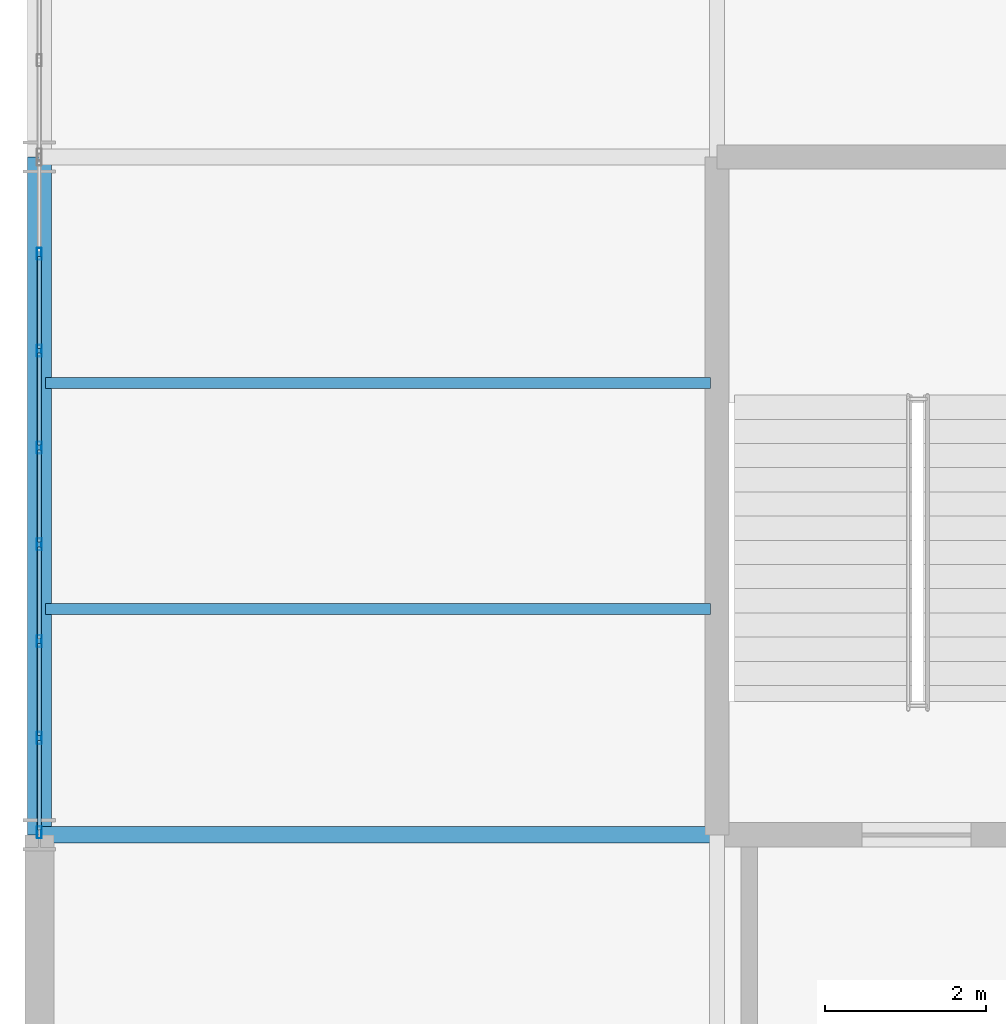
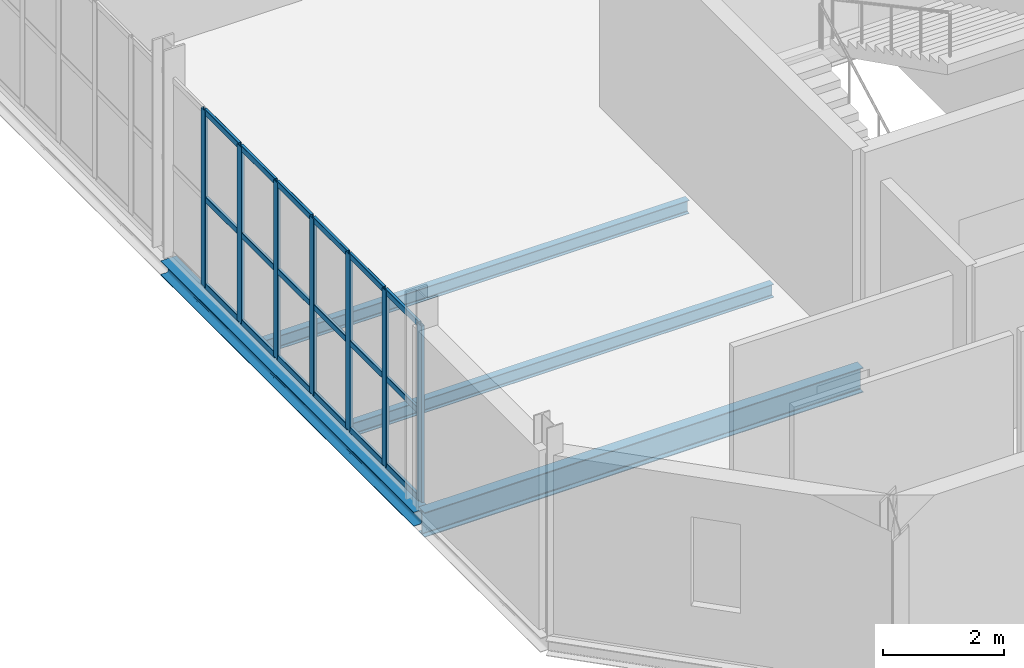
# One storey, part 23 of 184: 25 members, 4 beams, 1 element without a shape of its own.
"""IFC4 building model written with IfcOpenShell, lengths in metres."""

from ifc_helpers import new_model, si_unit, direction, frame, origin, origin_2d, place, context, subcontext, project, spatial, hollow_rectangle, i_section, extrude, material, layer, layer_set, material_profile, profile_set, type_object, element, aggregate, save


model = new_model("IFC4")

# Units and contexts
model_context = context("Model", 3, precision=1e-05, world=origin(), true_north=direction((0.0, 1.0)))
body_context = subcontext(model_context, "Body", "Model", "MODEL_VIEW")
ifc_project = project(units=[si_unit("LENGTHUNIT", "METRE"), si_unit("AREAUNIT", "SQUARE_METRE"), si_unit("VOLUMEUNIT", "CUBIC_METRE"), si_unit("PLANEANGLEUNIT", "RADIAN"), si_unit("MASSUNIT", "GRAM", prefix="KILO")], contexts=[model_context])

# Site, building, storey
site_placement = place(None, origin())
site = spatial("IfcSite", under=ifc_project, at=site_placement, CompositionType="ELEMENT")
building_placement = place(site_placement, origin())
building = spatial("IfcBuilding", under=site, at=building_placement, Name="Qalvenar Corner Mobility Hub", CompositionType="ELEMENT")
storey_placement = place(building_placement, frame((0.0, 0.0, 9.0)))
storey = spatial("IfcBuildingStorey", under=building, at=storey_placement, Name="L02", CompositionType="ELEMENT", Elevation=9.0)

# Beams
ifc_material_1 = material(Name="Steel S355", Category="steel")
ifc_material_profile_1 = material_profile(ifc_material_1, i_section(OverallWidth=0.199951171875, OverallDepth=0.5, WebThickness=0.01025390625, FlangeThickness=0.01611328125, FilletRadius=0.02099609375, at=origin_2d()), Name="IPE500")
ifc_profile_set_1 = profile_set([ifc_material_profile_1], Name="Steel S355")
beam_type_1 = type_object("IfcBeamType", Name="BM-IPE500", PredefinedType="BEAM", material=ifc_profile_set_1)
beam_1_placement = place(storey_placement, frame((0.0, 8.39990234375, -0.429931640625), z_axis=(1.0, 0.0, 0.0), x_axis=(0.0, 1.0, 0.0)))
element("IfcBeam", 1, at=beam_1_placement, inside=storey, type_object=beam_type_1, Name="Primary Steel Girder GX-1547", PredefinedType="BEAM", context=body_context, shape_type="SweptSolid", body=[
    extrude(i_section(OverallWidth=0.199951171875, OverallDepth=0.5, WebThickness=0.01025390625, FlangeThickness=0.01611328125, FilletRadius=0.02099609375, at=origin_2d()), origin(), (0.0, 0.0, 1.0), 8.39990234375),
])
ifc_material_profile_2 = material_profile(ifc_material_1, i_section(OverallWidth=0.135009765625, OverallDepth=0.27001953125, WebThickness=0.006591796875, FlangeThickness=0.01025390625, FilletRadius=0.014892578125, at=origin_2d()), Name="IPE270")
ifc_profile_set_2 = profile_set([ifc_material_profile_2], Name="Steel S355")
beam_type_2 = type_object("IfcBeamType", Name="BM-JST270", PredefinedType="JOIST", material=ifc_profile_set_2)
for number, where, z_axis, x_axis, name in (
    (2, (0.077880859375, 11.199951171875, -0.31494140625), (1.0, 0.0, 0.0), (0.0, 1.0, 0.0), "Composite Floor Joist J-1615"),
    (3, (0.077880859375, 14.0, -0.31494140625), (1.0, 0.0, 0.0), (0.0, 1.0, 0.0), "Composite Floor Joist J-1616"),
):
    element("IfcBeam", number, at=place(storey_placement, frame(where, z_axis=z_axis, x_axis=x_axis)), inside=storey, type_object=beam_type_2, Name=name, PredefinedType="JOIST", context=body_context, shape_type="SweptSolid", body=[
        extrude(i_section(OverallWidth=0.135009765625, OverallDepth=0.27001953125, WebThickness=0.006591796875, FlangeThickness=0.01025390625, FilletRadius=0.014892578125, at=origin_2d()), origin(), (0.0, 0.0, 1.0), 8.244140625),
    ])
ifc_material_profile_3 = material_profile(ifc_material_1, i_section(OverallWidth=0.300048828125, OverallDepth=0.2900390625, WebThickness=0.008544921875, FlangeThickness=0.013916015625, FilletRadius=0.027099609375, at=origin_2d()), Name="HEA300")
ifc_profile_set_3 = profile_set([ifc_material_profile_3], Name="Steel S355")
beam_type_3 = type_object("IfcBeamType", Name="BM-SPN300", PredefinedType="SPANDREL", material=ifc_profile_set_3)
beam_2_placement = place(storey_placement, frame((0.0, 8.39990234375, -0.324951171875), z_axis=(0.0, 1.0, 0.0), x_axis=(-1.0, 0.0, 0.0)))
element("IfcBeam", 4, at=beam_2_placement, inside=storey, type_object=beam_type_3, Name="Primary Steel Girder GY-1578", PredefinedType="SPANDREL", context=body_context, shape_type="SweptSolid", body=[
    extrude(i_section(OverallWidth=0.300048828125, OverallDepth=0.2900390625, WebThickness=0.008544921875, FlangeThickness=0.013916015625, FilletRadius=0.027099609375, at=origin_2d()), origin(), (0.0, 0.0, 1.0), 8.400146484375),
])

# Curtain wall, members
ifc_material_2 = material(Name="Anodised Aluminium and Low-E Glazing", Category="aluminium")
ifc_layer = layer(ifc_material_2, 0.14990234375)
ifc_layer_set = layer_set([ifc_layer], Name="Anodised Aluminium and Low-E Glazing")
curtain_wall_type = type_object("IfcCurtainWallType", Name="CW-CIV-84X40", PredefinedType="NOTDEFINED", material=ifc_layer_set)
curtain_wall_placement = place(storey_placement, origin())
curtain_wall = element("IfcCurtainWall", 5, at=curtain_wall_placement, inside=storey, type_object=curtain_wall_type, Name="Glazed Curtain Wall CW-V3-L02-W1", PredefinedType="NOTDEFINED")
ifc_material_3 = material(Name="Anodised Aluminium 6063-T6", Category="aluminium")
ifc_material_profile_4 = material_profile(ifc_material_3, hollow_rectangle(XDim=0.06005859375, YDim=0.14990234375, WallThickness=0.00390625, InnerFilletRadius=0.00390625, OuterFilletRadius=0.008056640625, at=origin_2d()), Name="RHS150x60x4")
ifc_profile_set_4 = profile_set([ifc_material_profile_4], Name="Anodised Aluminium 6063-T6")
member_type_1 = type_object("IfcMemberType", Name="CW-MUL150", PredefinedType="MULLION", material=ifc_profile_set_4)
member_1_placement = place(storey_placement, frame((0.0, 15.60009765625, 0.0), z_axis=(0.0, 0.0, 1.0), x_axis=(1.0, 0.0, 0.0)))
member_1 = element("IfcMember", 6, at=member_1_placement, type_object=member_type_1, Name="CW-05 mullion 2", PredefinedType="MULLION", context=body_context, shape_type="SweptSolid", body=[
    extrude(hollow_rectangle(XDim=0.06005859375, YDim=0.14990234375, WallThickness=0.00390625, InnerFilletRadius=0.00390625, OuterFilletRadius=0.008056640625, at=origin_2d()), origin(), (0.0, 0.0, 1.0), 3.570068359375),
])
member_2_placement = place(storey_placement, frame((0.0, 14.39990234375, 0.0), z_axis=(0.0, 0.0, 1.0), x_axis=(1.0, 0.0, 0.0)))
member_2 = element("IfcMember", 7, at=member_2_placement, type_object=member_type_1, Name="CW-05 mullion 3", PredefinedType="MULLION", context=body_context, shape_type="SweptSolid", body=[
    extrude(hollow_rectangle(XDim=0.06005859375, YDim=0.14990234375, WallThickness=0.00390625, InnerFilletRadius=0.00390625, OuterFilletRadius=0.008056640625, at=origin_2d()), origin(), (0.0, 0.0, 1.0), 3.570068359375),
])
member_3_placement = place(storey_placement, frame((0.0, 13.199951171875, 0.0), z_axis=(0.0, 0.0, 1.0), x_axis=(1.0, 0.0, 0.0)))
member_3 = element("IfcMember", 8, at=member_3_placement, type_object=member_type_1, Name="CW-05 mullion 4", PredefinedType="MULLION", context=body_context, shape_type="SweptSolid", body=[
    extrude(hollow_rectangle(XDim=0.06005859375, YDim=0.14990234375, WallThickness=0.00390625, InnerFilletRadius=0.00390625, OuterFilletRadius=0.008056640625, at=origin_2d()), origin(), (0.0, 0.0, 1.0), 3.570068359375),
])
member_4_placement = place(storey_placement, frame((0.0, 12.0, 0.0), z_axis=(0.0, 0.0, 1.0), x_axis=(1.0, 0.0, 0.0)))
member_4 = element("IfcMember", 9, at=member_4_placement, type_object=member_type_1, Name="CW-05 mullion 5", PredefinedType="MULLION", context=body_context, shape_type="SweptSolid", body=[
    extrude(hollow_rectangle(XDim=0.06005859375, YDim=0.14990234375, WallThickness=0.00390625, InnerFilletRadius=0.00390625, OuterFilletRadius=0.008056640625, at=origin_2d()), origin(), (0.0, 0.0, 1.0), 3.570068359375),
])
member_5_placement = place(storey_placement, frame((0.0, 10.800048828125, 0.0), z_axis=(0.0, 0.0, 1.0), x_axis=(1.0, 0.0, 0.0)))
member_5 = element("IfcMember", 10, at=member_5_placement, type_object=member_type_1, Name="CW-05 mullion 6", PredefinedType="MULLION", context=body_context, shape_type="SweptSolid", body=[
    extrude(hollow_rectangle(XDim=0.06005859375, YDim=0.14990234375, WallThickness=0.00390625, InnerFilletRadius=0.00390625, OuterFilletRadius=0.008056640625, at=origin_2d()), origin(), (0.0, 0.0, 1.0), 3.570068359375),
])
member_6_placement = place(storey_placement, frame((0.0, 9.60009765625, 0.0), z_axis=(0.0, 0.0, 1.0), x_axis=(1.0, 0.0, 0.0)))
member_6 = element("IfcMember", 11, at=member_6_placement, type_object=member_type_1, Name="CW-05 mullion 7", PredefinedType="MULLION", context=body_context, shape_type="SweptSolid", body=[
    extrude(hollow_rectangle(XDim=0.06005859375, YDim=0.14990234375, WallThickness=0.00390625, InnerFilletRadius=0.00390625, OuterFilletRadius=0.008056640625, at=origin_2d()), origin(), (0.0, 0.0, 1.0), 3.570068359375),
])
member_7_placement = place(storey_placement, frame((0.0, 8.429931640625, 0.0), z_axis=(0.0, 0.0, 1.0), x_axis=(1.0, 0.0, 0.0)))
member_7 = element("IfcMember", 12, at=member_7_placement, type_object=member_type_1, Name="CW-05 mullion 8", PredefinedType="MULLION", context=body_context, shape_type="SweptSolid", body=[
    extrude(hollow_rectangle(XDim=0.06005859375, YDim=0.14990234375, WallThickness=0.00390625, InnerFilletRadius=0.00390625, OuterFilletRadius=0.008056640625, at=origin_2d()), origin(), (0.0, 0.0, 1.0), 3.570068359375),
])
ifc_material_profile_5 = material_profile(ifc_material_3, hollow_rectangle(XDim=0.054931640625, YDim=0.1201171875, WallThickness=0.00341796875, InnerFilletRadius=0.00341796875, OuterFilletRadius=0.007080078125, at=origin_2d()), Name="RHS120x55x3.5")
ifc_profile_set_5 = profile_set([ifc_material_profile_5], Name="Anodised Aluminium 6063-T6")
member_type_2 = type_object("IfcMemberType", Name="CW-TRN120", PredefinedType="USERDEFINED", material=ifc_profile_set_5)
member_8_placement = place(storey_placement, frame((0.0, 15.570068359375, 0.027587890625), z_axis=(0.0, -1.0, 0.0), x_axis=(1.0, 0.0, 0.0)))
member_8 = element("IfcMember", 13, at=member_8_placement, type_object=member_type_2, Name="CW-05 transom 2.1", ObjectType="TRANSOM", PredefinedType="USERDEFINED", context=body_context, shape_type="SweptSolid", body=[
    extrude(hollow_rectangle(XDim=0.054931640625, YDim=0.1201171875, WallThickness=0.00341796875, InnerFilletRadius=0.00341796875, OuterFilletRadius=0.007080078125, at=origin_2d()), origin(), (0.0, 0.0, 1.0), 1.14013671875),
])
member_9_placement = place(storey_placement, frame((0.0, 15.570068359375, 1.784912109375), z_axis=(0.0, -1.0, 0.0), x_axis=(1.0, 0.0, 0.0)))
member_9 = element("IfcMember", 14, at=member_9_placement, type_object=member_type_2, Name="CW-05 transom 2.2", ObjectType="TRANSOM", PredefinedType="USERDEFINED", context=body_context, shape_type="SweptSolid", body=[
    extrude(hollow_rectangle(XDim=0.054931640625, YDim=0.1201171875, WallThickness=0.00341796875, InnerFilletRadius=0.00341796875, OuterFilletRadius=0.007080078125, at=origin_2d()), origin(), (0.0, 0.0, 1.0), 1.14013671875),
])
member_10_placement = place(storey_placement, frame((0.0, 15.570068359375, 3.54248046875), z_axis=(0.0, -1.0, 0.0), x_axis=(1.0, 0.0, 0.0)))
member_10 = element("IfcMember", 15, at=member_10_placement, type_object=member_type_2, Name="CW-05 transom 2.3", ObjectType="TRANSOM", PredefinedType="USERDEFINED", context=body_context, shape_type="SweptSolid", body=[
    extrude(hollow_rectangle(XDim=0.054931640625, YDim=0.1201171875, WallThickness=0.00341796875, InnerFilletRadius=0.00341796875, OuterFilletRadius=0.007080078125, at=origin_2d()), origin(), (0.0, 0.0, 1.0), 1.14013671875),
])
member_11_placement = place(storey_placement, frame((0.0, 14.3701171875, 0.027587890625), z_axis=(0.0, -1.0, 0.0), x_axis=(1.0, 0.0, 0.0)))
member_11 = element("IfcMember", 16, at=member_11_placement, type_object=member_type_2, Name="CW-05 transom 3.1", ObjectType="TRANSOM", PredefinedType="USERDEFINED", context=body_context, shape_type="SweptSolid", body=[
    extrude(hollow_rectangle(XDim=0.054931640625, YDim=0.1201171875, WallThickness=0.00341796875, InnerFilletRadius=0.00341796875, OuterFilletRadius=0.007080078125, at=origin_2d()), origin(), (0.0, 0.0, 1.0), 1.14013671875),
])
member_12_placement = place(storey_placement, frame((0.0, 14.3701171875, 1.784912109375), z_axis=(0.0, -1.0, 0.0), x_axis=(1.0, 0.0, 0.0)))
member_12 = element("IfcMember", 17, at=member_12_placement, type_object=member_type_2, Name="CW-05 transom 3.2", ObjectType="TRANSOM", PredefinedType="USERDEFINED", context=body_context, shape_type="SweptSolid", body=[
    extrude(hollow_rectangle(XDim=0.054931640625, YDim=0.1201171875, WallThickness=0.00341796875, InnerFilletRadius=0.00341796875, OuterFilletRadius=0.007080078125, at=origin_2d()), origin(), (0.0, 0.0, 1.0), 1.14013671875),
])
member_13_placement = place(storey_placement, frame((0.0, 14.3701171875, 3.54248046875), z_axis=(0.0, -1.0, 0.0), x_axis=(1.0, 0.0, 0.0)))
member_13 = element("IfcMember", 18, at=member_13_placement, type_object=member_type_2, Name="CW-05 transom 3.3", ObjectType="TRANSOM", PredefinedType="USERDEFINED", context=body_context, shape_type="SweptSolid", body=[
    extrude(hollow_rectangle(XDim=0.054931640625, YDim=0.1201171875, WallThickness=0.00341796875, InnerFilletRadius=0.00341796875, OuterFilletRadius=0.007080078125, at=origin_2d()), origin(), (0.0, 0.0, 1.0), 1.14013671875),
])
member_14_placement = place(storey_placement, frame((0.0, 13.169921875, 0.027587890625), z_axis=(0.0, -1.0, 0.0), x_axis=(1.0, 0.0, 0.0)))
member_14 = element("IfcMember", 19, at=member_14_placement, type_object=member_type_2, Name="CW-05 transom 4.1", ObjectType="TRANSOM", PredefinedType="USERDEFINED", context=body_context, shape_type="SweptSolid", body=[
    extrude(hollow_rectangle(XDim=0.054931640625, YDim=0.1201171875, WallThickness=0.00341796875, InnerFilletRadius=0.00341796875, OuterFilletRadius=0.007080078125, at=origin_2d()), origin(), (0.0, 0.0, 1.0), 1.139892578125),
])
member_15_placement = place(storey_placement, frame((0.0, 13.169921875, 1.784912109375), z_axis=(0.0, -1.0, 0.0), x_axis=(1.0, 0.0, 0.0)))
member_15 = element("IfcMember", 20, at=member_15_placement, type_object=member_type_2, Name="CW-05 transom 4.2", ObjectType="TRANSOM", PredefinedType="USERDEFINED", context=body_context, shape_type="SweptSolid", body=[
    extrude(hollow_rectangle(XDim=0.054931640625, YDim=0.1201171875, WallThickness=0.00341796875, InnerFilletRadius=0.00341796875, OuterFilletRadius=0.007080078125, at=origin_2d()), origin(), (0.0, 0.0, 1.0), 1.139892578125),
])
member_16_placement = place(storey_placement, frame((0.0, 13.169921875, 3.54248046875), z_axis=(0.0, -1.0, 0.0), x_axis=(1.0, 0.0, 0.0)))
member_16 = element("IfcMember", 21, at=member_16_placement, type_object=member_type_2, Name="CW-05 transom 4.3", ObjectType="TRANSOM", PredefinedType="USERDEFINED", context=body_context, shape_type="SweptSolid", body=[
    extrude(hollow_rectangle(XDim=0.054931640625, YDim=0.1201171875, WallThickness=0.00341796875, InnerFilletRadius=0.00341796875, OuterFilletRadius=0.007080078125, at=origin_2d()), origin(), (0.0, 0.0, 1.0), 1.139892578125),
])
member_17_placement = place(storey_placement, frame((0.0, 11.969970703125, 0.027587890625), z_axis=(0.0, -1.0, 0.0), x_axis=(1.0, 0.0, 0.0)))
member_17 = element("IfcMember", 22, at=member_17_placement, type_object=member_type_2, Name="CW-05 transom 5.1", ObjectType="TRANSOM", PredefinedType="USERDEFINED", context=body_context, shape_type="SweptSolid", body=[
    extrude(hollow_rectangle(XDim=0.054931640625, YDim=0.1201171875, WallThickness=0.00341796875, InnerFilletRadius=0.00341796875, OuterFilletRadius=0.007080078125, at=origin_2d()), origin(), (0.0, 0.0, 1.0), 1.139892578125),
])
member_18_placement = place(storey_placement, frame((0.0, 11.969970703125, 1.784912109375), z_axis=(0.0, -1.0, 0.0), x_axis=(1.0, 0.0, 0.0)))
member_18 = element("IfcMember", 23, at=member_18_placement, type_object=member_type_2, Name="CW-05 transom 5.2", ObjectType="TRANSOM", PredefinedType="USERDEFINED", context=body_context, shape_type="SweptSolid", body=[
    extrude(hollow_rectangle(XDim=0.054931640625, YDim=0.1201171875, WallThickness=0.00341796875, InnerFilletRadius=0.00341796875, OuterFilletRadius=0.007080078125, at=origin_2d()), origin(), (0.0, 0.0, 1.0), 1.139892578125),
])
member_19_placement = place(storey_placement, frame((0.0, 11.969970703125, 3.54248046875), z_axis=(0.0, -1.0, 0.0), x_axis=(1.0, 0.0, 0.0)))
member_19 = element("IfcMember", 24, at=member_19_placement, type_object=member_type_2, Name="CW-05 transom 5.3", ObjectType="TRANSOM", PredefinedType="USERDEFINED", context=body_context, shape_type="SweptSolid", body=[
    extrude(hollow_rectangle(XDim=0.054931640625, YDim=0.1201171875, WallThickness=0.00341796875, InnerFilletRadius=0.00341796875, OuterFilletRadius=0.007080078125, at=origin_2d()), origin(), (0.0, 0.0, 1.0), 1.139892578125),
])
member_20_placement = place(storey_placement, frame((0.0, 10.77001953125, 0.027587890625), z_axis=(0.0, -1.0, 0.0), x_axis=(1.0, 0.0, 0.0)))
member_20 = element("IfcMember", 25, at=member_20_placement, type_object=member_type_2, Name="CW-05 transom 6.1", ObjectType="TRANSOM", PredefinedType="USERDEFINED", context=body_context, shape_type="SweptSolid", body=[
    extrude(hollow_rectangle(XDim=0.054931640625, YDim=0.1201171875, WallThickness=0.00341796875, InnerFilletRadius=0.00341796875, OuterFilletRadius=0.007080078125, at=origin_2d()), origin(), (0.0, 0.0, 1.0), 1.14013671875),
])
member_21_placement = place(storey_placement, frame((0.0, 10.77001953125, 1.784912109375), z_axis=(0.0, -1.0, 0.0), x_axis=(1.0, 0.0, 0.0)))
member_21 = element("IfcMember", 26, at=member_21_placement, type_object=member_type_2, Name="CW-05 transom 6.2", ObjectType="TRANSOM", PredefinedType="USERDEFINED", context=body_context, shape_type="SweptSolid", body=[
    extrude(hollow_rectangle(XDim=0.054931640625, YDim=0.1201171875, WallThickness=0.00341796875, InnerFilletRadius=0.00341796875, OuterFilletRadius=0.007080078125, at=origin_2d()), origin(), (0.0, 0.0, 1.0), 1.14013671875),
])
member_22_placement = place(storey_placement, frame((0.0, 10.77001953125, 3.54248046875), z_axis=(0.0, -1.0, 0.0), x_axis=(1.0, 0.0, 0.0)))
member_22 = element("IfcMember", 27, at=member_22_placement, type_object=member_type_2, Name="CW-05 transom 6.3", ObjectType="TRANSOM", PredefinedType="USERDEFINED", context=body_context, shape_type="SweptSolid", body=[
    extrude(hollow_rectangle(XDim=0.054931640625, YDim=0.1201171875, WallThickness=0.00341796875, InnerFilletRadius=0.00341796875, OuterFilletRadius=0.007080078125, at=origin_2d()), origin(), (0.0, 0.0, 1.0), 1.14013671875),
])
member_23_placement = place(storey_placement, frame((0.0, 9.570068359375, 0.027587890625), z_axis=(0.0, -1.0, 0.0), x_axis=(1.0, 0.0, 0.0)))
member_23 = element("IfcMember", 28, at=member_23_placement, type_object=member_type_2, Name="CW-05 transom 7.1", ObjectType="TRANSOM", PredefinedType="USERDEFINED", context=body_context, shape_type="SweptSolid", body=[
    extrude(hollow_rectangle(XDim=0.054931640625, YDim=0.1201171875, WallThickness=0.00341796875, InnerFilletRadius=0.00341796875, OuterFilletRadius=0.007080078125, at=origin_2d()), origin(), (0.0, 0.0, 1.0), 1.110107421875),
])
member_24_placement = place(storey_placement, frame((0.0, 9.570068359375, 1.784912109375), z_axis=(0.0, -1.0, 0.0), x_axis=(1.0, 0.0, 0.0)))
member_24 = element("IfcMember", 29, at=member_24_placement, type_object=member_type_2, Name="CW-05 transom 7.2", ObjectType="TRANSOM", PredefinedType="USERDEFINED", context=body_context, shape_type="SweptSolid", body=[
    extrude(hollow_rectangle(XDim=0.054931640625, YDim=0.1201171875, WallThickness=0.00341796875, InnerFilletRadius=0.00341796875, OuterFilletRadius=0.007080078125, at=origin_2d()), origin(), (0.0, 0.0, 1.0), 1.110107421875),
])
member_25_placement = place(storey_placement, frame((0.0, 9.570068359375, 3.54248046875), z_axis=(0.0, -1.0, 0.0), x_axis=(1.0, 0.0, 0.0)))
member_25 = element("IfcMember", 30, at=member_25_placement, type_object=member_type_2, Name="CW-05 transom 7.3", ObjectType="TRANSOM", PredefinedType="USERDEFINED", context=body_context, shape_type="SweptSolid", body=[
    extrude(hollow_rectangle(XDim=0.054931640625, YDim=0.1201171875, WallThickness=0.00341796875, InnerFilletRadius=0.00341796875, OuterFilletRadius=0.007080078125, at=origin_2d()), origin(), (0.0, 0.0, 1.0), 1.110107421875),
])
aggregate(curtain_wall, [member_1, member_2, member_3, member_4, member_5, member_6, member_7, member_8, member_9, member_10, member_11, member_12, member_13, member_14, member_15, member_16, member_17, member_18, member_19, member_20, member_21, member_22, member_23, member_24, member_25])

save(model, "model.ifc")
